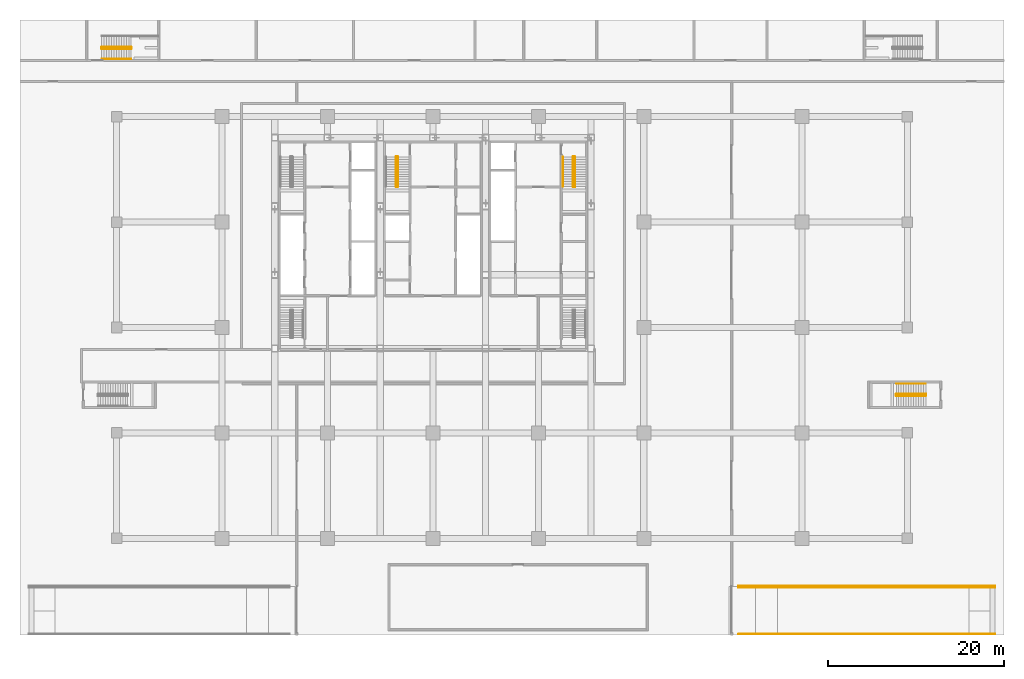
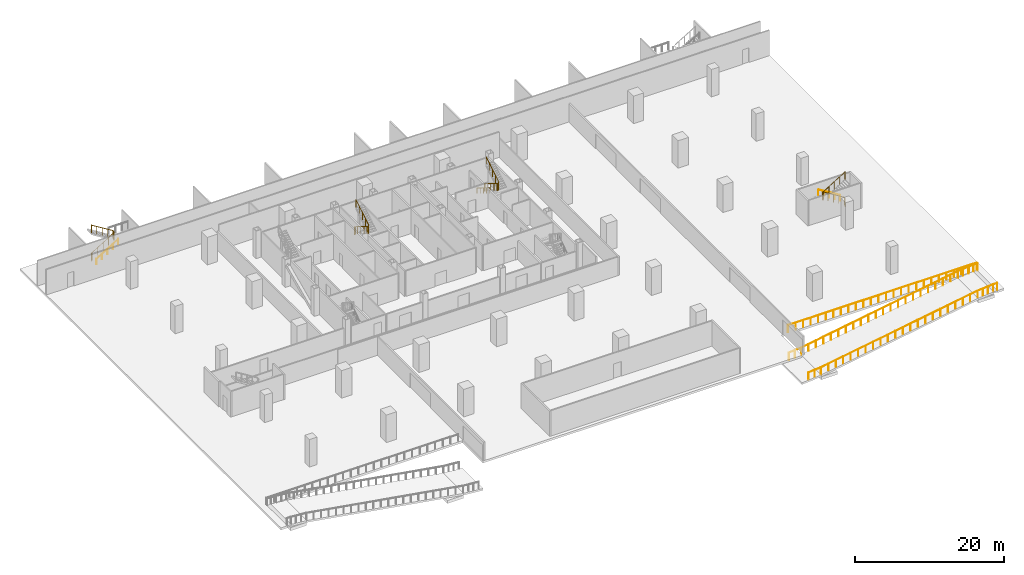
# One storey, part 14 of 15: 10 railings.
"""IFC4 building model written with IfcOpenShell, lengths in metres."""

from ifc_helpers import new_model, si_unit, direction, frame, origin, origin_2d, place, context, subcontext, project, spatial, circle, extrude, material, type_object, element, save


model = new_model("IFC4")

# Units and contexts
model_context = context("Model", 3, precision=1e-05, world=origin(), true_north=direction((0.0, 1.0)))
body_context = subcontext(model_context, "Body", "Model", "MODEL_VIEW")
ifc_project = project(units=[si_unit("LENGTHUNIT", "METRE"), si_unit("AREAUNIT", "SQUARE_METRE"), si_unit("VOLUMEUNIT", "CUBIC_METRE"), si_unit("PLANEANGLEUNIT", "RADIAN"), si_unit("MASSUNIT", "GRAM", prefix="KILO")], contexts=[model_context])

# Site, building, storey
site_placement = place(None, origin())
site = spatial("IfcSite", under=ifc_project, at=site_placement, CompositionType="ELEMENT")
building_placement = place(site_placement, origin())
building = spatial("IfcBuilding", under=site, at=building_placement, Name="Sorahane Residences", CompositionType="ELEMENT")
storey_placement = place(building_placement, frame((0.0, 0.0, -9.0)))
storey = spatial("IfcBuildingStorey", under=building, at=storey_placement, Name="B2", CompositionType="ELEMENT", Elevation=-9.0)

# Railings
ifc_material_1 = material(Name="Steel Q355B", Category="steel")
railing_type_1 = type_object("IfcRailingType", Name="Ramp opening guard 1200 Steel Q355B", PredefinedType="GUARDRAIL", material=ifc_material_1)
railing_1_placement = place(storey_placement, frame((88.0, -10.89990234375, 0.0)))
element("IfcRailing", 1, at=railing_1_placement, inside=storey, type_object=railing_type_1, Name="B2 ramp flight guard south", PredefinedType="GUARDRAIL", context=body_context, shape_type="SweptSolid", body=[
    extrude(circle(Radius=0.02392578125, at=origin_2d()), frame((0.0, 0.0, 1.17578125), z_axis=(-1.0, 0.0, 0.0), x_axis=(0.0, -1.0, 0.0)), (0.0, 0.0, 1.0), 0.60009765625),
    extrude(circle(Radius=0.02392578125, at=origin_2d()), frame((-0.60009765625, 0.0, 1.17578125), z_axis=(-0.996547156423, 0.0, -0.083028700011), x_axis=(0.0, -1.0, 0.0)), (0.0, 0.0, 1.0), 2.408203125),
    extrude(circle(Radius=0.02392578125, at=origin_2d()), frame((-3.0, 0.0, 0.97607421875), z_axis=(-0.986393655987, 0.0, -0.164400594367), x_axis=(0.0, -1.0, 0.0)), (0.0, 0.0, 1.0), 24.63525390625),
    extrude(circle(Radius=0.02392578125, at=origin_2d()), frame((-27.300048828125, 0.0, -3.07421875), z_axis=(-0.996551055188, 0.0, -0.082981892028), x_axis=(0.0, -1.0, 0.0)), (0.0, 0.0, 1.0), 1.906494140625),
    extrude(circle(Radius=0.02099609375, at=origin_2d()), origin(), (0.0, 0.0, 1.0), 1.15185546875),
    extrude(circle(Radius=0.02099609375, at=origin_2d()), frame((-0.60009765625, 0.0, 0.0)), (0.0, 0.0, 1.0), 1.15185546875),
    extrude(circle(Radius=0.02099609375, at=origin_2d()), frame((-1.400146484375, 0.0, -0.066650390625)), (0.0, 0.0, 1.0), 1.15185546875),
    extrude(circle(Radius=0.02099609375, at=origin_2d()), frame((-2.199951171875, 0.0, -0.13330078125)), (0.0, 0.0, 1.0), 1.15185546875),
    extrude(circle(Radius=0.02099609375, at=origin_2d()), frame((-3.0, 0.0, -0.199951171875)), (0.0, 0.0, 1.0), 1.15185546875),
    extrude(circle(Radius=0.02099609375, at=origin_2d()), frame((-4.1572265625, 0.0, -0.392822265625)), (0.0, 0.0, 1.0), 1.15185546875),
    extrude(circle(Radius=0.02099609375, at=origin_2d()), frame((-5.314208984375, 0.0, -0.585693359375)), (0.0, 0.0, 1.0), 1.15185546875),
    extrude(circle(Radius=0.02099609375, at=origin_2d()), frame((-6.471435546875, 0.0, -0.778564453125)), (0.0, 0.0, 1.0), 1.15185546875),
    extrude(circle(Radius=0.02099609375, at=origin_2d()), frame((-7.628662109375, 0.0, -0.971435546875)), (0.0, 0.0, 1.0), 1.15185546875),
    extrude(circle(Radius=0.02099609375, at=origin_2d()), frame((-8.78564453125, 0.0, -1.164306640625)), (0.0, 0.0, 1.0), 1.15185546875),
    extrude(circle(Radius=0.02099609375, at=origin_2d()), frame((-9.94287109375, 0.0, -1.357177734375)), (0.0, 0.0, 1.0), 1.15185546875),
    extrude(circle(Radius=0.02099609375, at=origin_2d()), frame((-11.10009765625, 0.0, -1.550048828125)), (0.0, 0.0, 1.0), 1.15185546875),
    extrude(circle(Radius=0.02099609375, at=origin_2d()), frame((-12.257080078125, 0.0, -1.742919921875)), (0.0, 0.0, 1.0), 1.15185546875),
    extrude(circle(Radius=0.02099609375, at=origin_2d()), frame((-13.414306640625, 0.0, -1.935791015625)), (0.0, 0.0, 1.0), 1.15185546875),
    extrude(circle(Radius=0.02099609375, at=origin_2d()), frame((-14.571533203125, 0.0, -2.128662109375)), (0.0, 0.0, 1.0), 1.15185546875),
    extrude(circle(Radius=0.02099609375, at=origin_2d()), frame((-15.728515625, 0.0, -2.3212890625)), (0.0, 0.0, 1.0), 1.15185546875),
    extrude(circle(Radius=0.02099609375, at=origin_2d()), frame((-16.8857421875, 0.0, -2.51416015625)), (0.0, 0.0, 1.0), 1.15185546875),
    extrude(circle(Radius=0.02099609375, at=origin_2d()), frame((-18.04296875, 0.0, -2.70703125)), (0.0, 0.0, 1.0), 1.15185546875),
    extrude(circle(Radius=0.02099609375, at=origin_2d()), frame((-19.199951171875, 0.0, -2.89990234375)), (0.0, 0.0, 1.0), 1.15185546875),
    extrude(circle(Radius=0.02099609375, at=origin_2d()), frame((-20.357177734375, 0.0, -3.0927734375)), (0.0, 0.0, 1.0), 1.15185546875),
    extrude(circle(Radius=0.02099609375, at=origin_2d()), frame((-21.514404296875, 0.0, -3.28564453125)), (0.0, 0.0, 1.0), 1.15185546875),
    extrude(circle(Radius=0.02099609375, at=origin_2d()), frame((-22.67138671875, 0.0, -3.478515625)), (0.0, 0.0, 1.0), 1.15185546875),
    extrude(circle(Radius=0.02099609375, at=origin_2d()), frame((-23.82861328125, 0.0, -3.67138671875)), (0.0, 0.0, 1.0), 1.15185546875),
    extrude(circle(Radius=0.02099609375, at=origin_2d()), frame((-24.98583984375, 0.0, -3.8642578125)), (0.0, 0.0, 1.0), 1.15185546875),
    extrude(circle(Radius=0.02099609375, at=origin_2d()), frame((-26.142822265625, 0.0, -4.05712890625)), (0.0, 0.0, 1.0), 1.15185546875),
    extrude(circle(Radius=0.02099609375, at=origin_2d()), frame((-27.300048828125, 0.0, -4.25)), (0.0, 0.0, 1.0), 1.15185546875),
    extrude(circle(Radius=0.02099609375, at=origin_2d()), frame((-28.25, 0.0, -4.3291015625)), (0.0, 0.0, 1.0), 1.15185546875),
    extrude(circle(Radius=0.02099609375, at=origin_2d()), frame((-29.199951171875, 0.0, -4.408203125)), (0.0, 0.0, 1.0), 1.15185546875),
])
railing_2_placement = place(storey_placement, frame((88.0, -5.60009765625, 0.0)))
element("IfcRailing", 2, at=railing_2_placement, inside=storey, type_object=railing_type_1, Name="B2 ramp flight guard north", PredefinedType="GUARDRAIL", context=body_context, shape_type="SweptSolid", body=[
    extrude(circle(Radius=0.02392578125, at=origin_2d()), frame((0.0, 0.0, 1.17578125), z_axis=(-1.0, 0.0, 0.0), x_axis=(0.0, -1.0, 0.0)), (0.0, 0.0, 1.0), 0.60009765625),
    extrude(circle(Radius=0.02392578125, at=origin_2d()), frame((-0.60009765625, 0.0, 1.17578125), z_axis=(-0.996547156423, 0.0, -0.083028700011), x_axis=(0.0, -1.0, 0.0)), (0.0, 0.0, 1.0), 2.408203125),
    extrude(circle(Radius=0.02392578125, at=origin_2d()), frame((-3.0, 0.0, 0.97607421875), z_axis=(-0.986393655987, 0.0, -0.164400594367), x_axis=(0.0, -1.0, 0.0)), (0.0, 0.0, 1.0), 24.63525390625),
    extrude(circle(Radius=0.02392578125, at=origin_2d()), frame((-27.300048828125, 0.0, -3.07421875), z_axis=(-0.996551055188, 0.0, -0.082981892028), x_axis=(0.0, -1.0, 0.0)), (0.0, 0.0, 1.0), 1.906494140625),
    extrude(circle(Radius=0.02099609375, at=origin_2d()), origin(), (0.0, 0.0, 1.0), 1.15185546875),
    extrude(circle(Radius=0.02099609375, at=origin_2d()), frame((-0.60009765625, 0.0, 0.0)), (0.0, 0.0, 1.0), 1.15185546875),
    extrude(circle(Radius=0.02099609375, at=origin_2d()), frame((-1.400146484375, 0.0, -0.066650390625)), (0.0, 0.0, 1.0), 1.15185546875),
    extrude(circle(Radius=0.02099609375, at=origin_2d()), frame((-2.199951171875, 0.0, -0.13330078125)), (0.0, 0.0, 1.0), 1.15185546875),
    extrude(circle(Radius=0.02099609375, at=origin_2d()), frame((-3.0, 0.0, -0.199951171875)), (0.0, 0.0, 1.0), 1.15185546875),
    extrude(circle(Radius=0.02099609375, at=origin_2d()), frame((-4.1572265625, 0.0, -0.392822265625)), (0.0, 0.0, 1.0), 1.15185546875),
    extrude(circle(Radius=0.02099609375, at=origin_2d()), frame((-5.314208984375, 0.0, -0.585693359375)), (0.0, 0.0, 1.0), 1.15185546875),
    extrude(circle(Radius=0.02099609375, at=origin_2d()), frame((-6.471435546875, 0.0, -0.778564453125)), (0.0, 0.0, 1.0), 1.15185546875),
    extrude(circle(Radius=0.02099609375, at=origin_2d()), frame((-7.628662109375, 0.0, -0.971435546875)), (0.0, 0.0, 1.0), 1.15185546875),
    extrude(circle(Radius=0.02099609375, at=origin_2d()), frame((-8.78564453125, 0.0, -1.164306640625)), (0.0, 0.0, 1.0), 1.15185546875),
    extrude(circle(Radius=0.02099609375, at=origin_2d()), frame((-9.94287109375, 0.0, -1.357177734375)), (0.0, 0.0, 1.0), 1.15185546875),
    extrude(circle(Radius=0.02099609375, at=origin_2d()), frame((-11.10009765625, 0.0, -1.550048828125)), (0.0, 0.0, 1.0), 1.15185546875),
    extrude(circle(Radius=0.02099609375, at=origin_2d()), frame((-12.257080078125, 0.0, -1.742919921875)), (0.0, 0.0, 1.0), 1.15185546875),
    extrude(circle(Radius=0.02099609375, at=origin_2d()), frame((-13.414306640625, 0.0, -1.935791015625)), (0.0, 0.0, 1.0), 1.15185546875),
    extrude(circle(Radius=0.02099609375, at=origin_2d()), frame((-14.571533203125, 0.0, -2.128662109375)), (0.0, 0.0, 1.0), 1.15185546875),
    extrude(circle(Radius=0.02099609375, at=origin_2d()), frame((-15.728515625, 0.0, -2.3212890625)), (0.0, 0.0, 1.0), 1.15185546875),
    extrude(circle(Radius=0.02099609375, at=origin_2d()), frame((-16.8857421875, 0.0, -2.51416015625)), (0.0, 0.0, 1.0), 1.15185546875),
    extrude(circle(Radius=0.02099609375, at=origin_2d()), frame((-18.04296875, 0.0, -2.70703125)), (0.0, 0.0, 1.0), 1.15185546875),
    extrude(circle(Radius=0.02099609375, at=origin_2d()), frame((-19.199951171875, 0.0, -2.89990234375)), (0.0, 0.0, 1.0), 1.15185546875),
    extrude(circle(Radius=0.02099609375, at=origin_2d()), frame((-20.357177734375, 0.0, -3.0927734375)), (0.0, 0.0, 1.0), 1.15185546875),
    extrude(circle(Radius=0.02099609375, at=origin_2d()), frame((-21.514404296875, 0.0, -3.28564453125)), (0.0, 0.0, 1.0), 1.15185546875),
    extrude(circle(Radius=0.02099609375, at=origin_2d()), frame((-22.67138671875, 0.0, -3.478515625)), (0.0, 0.0, 1.0), 1.15185546875),
    extrude(circle(Radius=0.02099609375, at=origin_2d()), frame((-23.82861328125, 0.0, -3.67138671875)), (0.0, 0.0, 1.0), 1.15185546875),
    extrude(circle(Radius=0.02099609375, at=origin_2d()), frame((-24.98583984375, 0.0, -3.8642578125)), (0.0, 0.0, 1.0), 1.15185546875),
    extrude(circle(Radius=0.02099609375, at=origin_2d()), frame((-26.142822265625, 0.0, -4.05712890625)), (0.0, 0.0, 1.0), 1.15185546875),
    extrude(circle(Radius=0.02099609375, at=origin_2d()), frame((-27.300048828125, 0.0, -4.25)), (0.0, 0.0, 1.0), 1.15185546875),
    extrude(circle(Radius=0.02099609375, at=origin_2d()), frame((-28.25, 0.0, -4.3291015625)), (0.0, 0.0, 1.0), 1.15185546875),
    extrude(circle(Radius=0.02099609375, at=origin_2d()), frame((-29.199951171875, 0.0, -4.408203125)), (0.0, 0.0, 1.0), 1.15185546875),
])
railing_3_placement = place(storey_placement, frame((58.800048828125, -5.39990234375, 0.0)))
element("IfcRailing", 3, at=railing_3_placement, inside=storey, type_object=railing_type_1, Name="B2 ramp opening guard", PredefinedType="GUARDRAIL", context=body_context, shape_type="SweptSolid", body=[
    extrude(circle(Radius=0.02392578125, at=origin_2d()), frame((0.0, 0.0, 1.17578125), z_axis=(1.0, 0.0, 0.0), x_axis=(0.0, 1.0, 0.0)), (0.0, 0.0, 1.0), 29.199951171875),
    extrude(circle(Radius=0.02099609375, at=origin_2d()), origin(), (0.0, 0.0, 1.0), 1.15185546875),
    extrude(circle(Radius=0.02099609375, at=origin_2d()), frame((1.16796875, 0.0, 0.0)), (0.0, 0.0, 1.0), 1.15185546875),
    extrude(circle(Radius=0.02099609375, at=origin_2d()), frame((2.3359375, 0.0, 0.0)), (0.0, 0.0, 1.0), 1.15185546875),
    extrude(circle(Radius=0.02099609375, at=origin_2d()), frame((3.50390625, 0.0, 0.0)), (0.0, 0.0, 1.0), 1.15185546875),
    extrude(circle(Radius=0.02099609375, at=origin_2d()), frame((4.671875, 0.0, 0.0)), (0.0, 0.0, 1.0), 1.15185546875),
    extrude(circle(Radius=0.02099609375, at=origin_2d()), frame((5.840087890625, 0.0, 0.0)), (0.0, 0.0, 1.0), 1.15185546875),
    extrude(circle(Radius=0.02099609375, at=origin_2d()), frame((7.008056640625, 0.0, 0.0)), (0.0, 0.0, 1.0), 1.15185546875),
    extrude(circle(Radius=0.02099609375, at=origin_2d()), frame((8.176025390625, 0.0, 0.0)), (0.0, 0.0, 1.0), 1.15185546875),
    extrude(circle(Radius=0.02099609375, at=origin_2d()), frame((9.343994140625, 0.0, 0.0)), (0.0, 0.0, 1.0), 1.15185546875),
    extrude(circle(Radius=0.02099609375, at=origin_2d()), frame((10.511962890625, 0.0, 0.0)), (0.0, 0.0, 1.0), 1.15185546875),
    extrude(circle(Radius=0.02099609375, at=origin_2d()), frame((11.679931640625, 0.0, 0.0)), (0.0, 0.0, 1.0), 1.15185546875),
    extrude(circle(Radius=0.02099609375, at=origin_2d()), frame((12.847900390625, 0.0, 0.0)), (0.0, 0.0, 1.0), 1.15185546875),
    extrude(circle(Radius=0.02099609375, at=origin_2d()), frame((14.015869140625, 0.0, 0.0)), (0.0, 0.0, 1.0), 1.15185546875),
    extrude(circle(Radius=0.02099609375, at=origin_2d()), frame((15.18408203125, 0.0, 0.0)), (0.0, 0.0, 1.0), 1.15185546875),
    extrude(circle(Radius=0.02099609375, at=origin_2d()), frame((16.35205078125, 0.0, 0.0)), (0.0, 0.0, 1.0), 1.15185546875),
    extrude(circle(Radius=0.02099609375, at=origin_2d()), frame((17.52001953125, 0.0, 0.0)), (0.0, 0.0, 1.0), 1.15185546875),
    extrude(circle(Radius=0.02099609375, at=origin_2d()), frame((18.68798828125, 0.0, 0.0)), (0.0, 0.0, 1.0), 1.15185546875),
    extrude(circle(Radius=0.02099609375, at=origin_2d()), frame((19.85595703125, 0.0, 0.0)), (0.0, 0.0, 1.0), 1.15185546875),
    extrude(circle(Radius=0.02099609375, at=origin_2d()), frame((21.02392578125, 0.0, 0.0)), (0.0, 0.0, 1.0), 1.15185546875),
    extrude(circle(Radius=0.02099609375, at=origin_2d()), frame((22.19189453125, 0.0, 0.0)), (0.0, 0.0, 1.0), 1.15185546875),
    extrude(circle(Radius=0.02099609375, at=origin_2d()), frame((23.35986328125, 0.0, 0.0)), (0.0, 0.0, 1.0), 1.15185546875),
    extrude(circle(Radius=0.02099609375, at=origin_2d()), frame((24.528076171875, 0.0, 0.0)), (0.0, 0.0, 1.0), 1.15185546875),
    extrude(circle(Radius=0.02099609375, at=origin_2d()), frame((25.696044921875, 0.0, 0.0)), (0.0, 0.0, 1.0), 1.15185546875),
    extrude(circle(Radius=0.02099609375, at=origin_2d()), frame((26.864013671875, 0.0, 0.0)), (0.0, 0.0, 1.0), 1.15185546875),
    extrude(circle(Radius=0.02099609375, at=origin_2d()), frame((28.031982421875, 0.0, 0.0)), (0.0, 0.0, 1.0), 1.15185546875),
    extrude(circle(Radius=0.02099609375, at=origin_2d()), frame((29.199951171875, 0.0, 0.0)), (0.0, 0.0, 1.0), 1.15185546875),
])
ifc_material_2 = material(Name="Steel Q355B", Category="steel")
railing_type_2 = type_object("IfcRailingType", Name="Stair guard 1200 Steel Q355B", PredefinedType="GUARDRAIL", material=ifc_material_2)
railing_4_placement = place(storey_placement, frame((40.14990234375, 43.449951171875, 0.0)))
element("IfcRailing", 4, at=railing_4_placement, inside=storey, type_object=railing_type_2, Name="B2 S2 stair guard 1", PredefinedType="GUARDRAIL", context=body_context, shape_type="SweptSolid", body=[
    extrude(circle(Radius=0.02392578125, at=origin_2d()), frame((0.0, 0.0, 1.17578125), z_axis=(-1.0, 0.0, 0.0), x_axis=(0.0, -1.0, 0.0)), (0.0, 0.0, 1.0), 0.14990234375),
    extrude(circle(Radius=0.02392578125, at=origin_2d()), frame((-0.14990234375, 0.0, 1.17578125), z_axis=(-0.267629722418, -0.267629722418, 0.925607186314), x_axis=(0.707106781187, -0.707106781187, 0.0)), (0.0, 0.0, 1.0), 0.18701171875),
    extrude(circle(Radius=0.02392578125, at=origin_2d()), frame((-0.199951171875, -0.050048828125, 1.34912109375), z_axis=(0.0, -0.850606129759, 0.525803396734), x_axis=(1.0, 0.0, 0.0)), (0.0, 0.0, 1.0), 3.949951171875),
    extrude(circle(Radius=0.02392578125, at=origin_2d()), frame((-0.199951171875, -3.409912109375, 3.42578125), z_axis=(0.707106781187, -0.707106781187, 0.0), x_axis=(0.707106781187, 0.707106781187, 0.0)), (0.0, 0.0, 1.0), 0.07080078125),
    extrude(circle(Radius=0.02392578125, at=origin_2d()), frame((-0.14990234375, -3.4599609375, 3.42578125), z_axis=(1.0, 0.0, 0.0), x_axis=(0.0, 1.0, 0.0)), (0.0, 0.0, 1.0), 0.14990234375),
    extrude(circle(Radius=0.02392578125, at=origin_2d()), frame((0.0, -3.4599609375, 3.42578125), z_axis=(0.267629722418, 0.267629722418, 0.925607186314), x_axis=(-0.707106781187, 0.707106781187, 0.0)), (0.0, 0.0, 1.0), 0.18701171875),
    extrude(circle(Radius=0.02392578125, at=origin_2d()), frame((0.050048828125, -3.409912109375, 3.59912109375), z_axis=(0.0, 0.850606129759, 0.525803396734), x_axis=(-1.0, 0.0, 0.0)), (0.0, 0.0, 1.0), 3.949951171875),
    extrude(circle(Radius=0.02099609375, at=origin_2d()), origin(), (0.0, 0.0, 1.0), 1.15185546875),
    extrude(circle(Radius=0.02099609375, at=origin_2d()), frame((-0.14990234375, 0.0, 0.0)), (0.0, 0.0, 1.0), 1.15185546875),
    extrude(circle(Radius=0.02099609375, at=origin_2d()), frame((-0.199951171875, -0.050048828125, 0.173095703125)), (0.0, 0.0, 1.0), 1.15185546875),
    extrude(circle(Radius=0.02099609375, at=origin_2d()), frame((-0.199951171875, -0.89013671875, 0.6923828125)), (0.0, 0.0, 1.0), 1.15185546875),
    extrude(circle(Radius=0.02099609375, at=origin_2d()), frame((-0.199951171875, -1.72998046875, 1.21142578125)), (0.0, 0.0, 1.0), 1.15185546875),
    extrude(circle(Radius=0.02099609375, at=origin_2d()), frame((-0.199951171875, -2.56982421875, 1.730712890625)), (0.0, 0.0, 1.0), 1.15185546875),
    extrude(circle(Radius=0.02099609375, at=origin_2d()), frame((-0.199951171875, -3.409912109375, 2.25)), (0.0, 0.0, 1.0), 1.15185546875),
    extrude(circle(Radius=0.02099609375, at=origin_2d()), frame((-0.14990234375, -3.4599609375, 2.25)), (0.0, 0.0, 1.0), 1.15185546875),
    extrude(circle(Radius=0.02099609375, at=origin_2d()), frame((0.0, -3.4599609375, 2.25)), (0.0, 0.0, 1.0), 1.15185546875),
    extrude(circle(Radius=0.02099609375, at=origin_2d()), frame((0.050048828125, -3.409912109375, 2.423095703125)), (0.0, 0.0, 1.0), 1.15185546875),
    extrude(circle(Radius=0.02099609375, at=origin_2d()), frame((0.050048828125, -2.56982421875, 2.9423828125)), (0.0, 0.0, 1.0), 1.15185546875),
    extrude(circle(Radius=0.02099609375, at=origin_2d()), frame((0.050048828125, -1.72998046875, 3.46142578125)), (0.0, 0.0, 1.0), 1.15185546875),
    extrude(circle(Radius=0.02099609375, at=origin_2d()), frame((0.050048828125, -0.89013671875, 3.980712890625)), (0.0, 0.0, 1.0), 1.15185546875),
    extrude(circle(Radius=0.02099609375, at=origin_2d()), frame((0.050048828125, -0.050048828125, 4.5)), (0.0, 0.0, 1.0), 1.15185546875),
])
railing_5_placement = place(storey_placement, frame((20.0, 43.449951171875, 0.0)))
element("IfcRailing", 5, at=railing_5_placement, inside=storey, type_object=railing_type_2, Name="B2 S3 stair guard 1", PredefinedType="GUARDRAIL", context=body_context, shape_type="SweptSolid", body=[
    extrude(circle(Radius=0.02392578125, at=origin_2d()), frame((0.0, 0.0, 1.17578125), z_axis=(-1.0, 0.0, 0.0), x_axis=(0.0, -1.0, 0.0)), (0.0, 0.0, 1.0), 0.14990234375),
    extrude(circle(Radius=0.02392578125, at=origin_2d()), frame((-0.14990234375, 0.0, 1.17578125), z_axis=(-0.267629722418, -0.267629722418, 0.925607186314), x_axis=(0.707106781187, -0.707106781187, 0.0)), (0.0, 0.0, 1.0), 0.18701171875),
    extrude(circle(Radius=0.02392578125, at=origin_2d()), frame((-0.199951171875, -0.050048828125, 1.34912109375), z_axis=(0.0, -0.850606129759, 0.525803396734), x_axis=(1.0, 0.0, 0.0)), (0.0, 0.0, 1.0), 3.949951171875),
    extrude(circle(Radius=0.02392578125, at=origin_2d()), frame((-0.199951171875, -3.409912109375, 3.42578125), z_axis=(0.707106781187, -0.707106781187, 0.0), x_axis=(0.707106781187, 0.707106781187, 0.0)), (0.0, 0.0, 1.0), 0.07080078125),
    extrude(circle(Radius=0.02392578125, at=origin_2d()), frame((-0.14990234375, -3.4599609375, 3.42578125), z_axis=(1.0, 0.0, 0.0), x_axis=(0.0, 1.0, 0.0)), (0.0, 0.0, 1.0), 0.14990234375),
    extrude(circle(Radius=0.02392578125, at=origin_2d()), frame((0.0, -3.4599609375, 3.42578125), z_axis=(0.267629722418, 0.267629722418, 0.925607186314), x_axis=(-0.707106781187, 0.707106781187, 0.0)), (0.0, 0.0, 1.0), 0.18701171875),
    extrude(circle(Radius=0.02392578125, at=origin_2d()), frame((0.050048828125, -3.409912109375, 3.59912109375), z_axis=(0.0, 0.850606129759, 0.525803396734), x_axis=(-1.0, 0.0, 0.0)), (0.0, 0.0, 1.0), 3.949951171875),
    extrude(circle(Radius=0.02099609375, at=origin_2d()), origin(), (0.0, 0.0, 1.0), 1.15185546875),
    extrude(circle(Radius=0.02099609375, at=origin_2d()), frame((-0.14990234375, 0.0, 0.0)), (0.0, 0.0, 1.0), 1.15185546875),
    extrude(circle(Radius=0.02099609375, at=origin_2d()), frame((-0.199951171875, -0.050048828125, 0.173095703125)), (0.0, 0.0, 1.0), 1.15185546875),
    extrude(circle(Radius=0.02099609375, at=origin_2d()), frame((-0.199951171875, -0.89013671875, 0.6923828125)), (0.0, 0.0, 1.0), 1.15185546875),
    extrude(circle(Radius=0.02099609375, at=origin_2d()), frame((-0.199951171875, -1.72998046875, 1.21142578125)), (0.0, 0.0, 1.0), 1.15185546875),
    extrude(circle(Radius=0.02099609375, at=origin_2d()), frame((-0.199951171875, -2.56982421875, 1.730712890625)), (0.0, 0.0, 1.0), 1.15185546875),
    extrude(circle(Radius=0.02099609375, at=origin_2d()), frame((-0.199951171875, -3.409912109375, 2.25)), (0.0, 0.0, 1.0), 1.15185546875),
    extrude(circle(Radius=0.02099609375, at=origin_2d()), frame((-0.14990234375, -3.4599609375, 2.25)), (0.0, 0.0, 1.0), 1.15185546875),
    extrude(circle(Radius=0.02099609375, at=origin_2d()), frame((0.0, -3.4599609375, 2.25)), (0.0, 0.0, 1.0), 1.15185546875),
    extrude(circle(Radius=0.02099609375, at=origin_2d()), frame((0.050048828125, -3.409912109375, 2.423095703125)), (0.0, 0.0, 1.0), 1.15185546875),
    extrude(circle(Radius=0.02099609375, at=origin_2d()), frame((0.050048828125, -2.56982421875, 2.9423828125)), (0.0, 0.0, 1.0), 1.15185546875),
    extrude(circle(Radius=0.02099609375, at=origin_2d()), frame((0.050048828125, -1.72998046875, 3.46142578125)), (0.0, 0.0, 1.0), 1.15185546875),
    extrude(circle(Radius=0.02099609375, at=origin_2d()), frame((0.050048828125, -0.89013671875, 3.980712890625)), (0.0, 0.0, 1.0), 1.15185546875),
    extrude(circle(Radius=0.02099609375, at=origin_2d()), frame((0.050048828125, -0.050048828125, 4.5)), (0.0, 0.0, 1.0), 1.15185546875),
])
railing_6_placement = place(storey_placement, frame((-13.75, 55.89990234375, 0.0)))
element("IfcRailing", 6, at=railing_6_placement, inside=storey, type_object=railing_type_2, Name="B2 BS1 stair guard 1", PredefinedType="GUARDRAIL", context=body_context, shape_type="SweptSolid", body=[
    extrude(circle(Radius=0.02392578125, at=origin_2d()), frame((0.0, 0.0, 1.23583984375), z_axis=(0.0, -1.0, 0.0), x_axis=(1.0, 0.0, 0.0)), (0.0, 0.0, 1.0), 0.14990234375),
    extrude(circle(Radius=0.02392578125, at=origin_2d()), frame((0.0, -0.14990234375, 1.23583984375), z_axis=(0.267629722418, -0.267629722418, 0.925607186314), x_axis=(0.707106781187, 0.707106781187, 0.0)), (0.0, 0.0, 1.0), 0.18701171875),
    extrude(circle(Radius=0.02392578125, at=origin_2d()), frame((0.050048828125, -0.199951171875, 1.4091796875), z_axis=(0.850606129759, 0.0, 0.525803396734), x_axis=(0.0, 1.0, 0.0)), (0.0, 0.0, 1.0), 3.949951171875),
    extrude(circle(Radius=0.02392578125, at=origin_2d()), frame((3.409912109375, -0.199951171875, 3.48583984375), z_axis=(0.707106781187, 0.707106781187, 0.0), x_axis=(-0.707106781187, 0.707106781187, 0.0)), (0.0, 0.0, 1.0), 0.07080078125),
    extrude(circle(Radius=0.02392578125, at=origin_2d()), frame((3.4599609375, -0.14990234375, 3.48583984375), z_axis=(0.0, 1.0, 0.0), x_axis=(-1.0, 0.0, 0.0)), (0.0, 0.0, 1.0), 0.14990234375),
    extrude(circle(Radius=0.02392578125, at=origin_2d()), frame((3.4599609375, 0.0, 3.48583984375), z_axis=(-0.267629722418, 0.267629722418, 0.925607186314), x_axis=(-0.707106781187, -0.707106781187, 0.0)), (0.0, 0.0, 1.0), 0.18701171875),
    extrude(circle(Radius=0.02392578125, at=origin_2d()), frame((3.409912109375, 0.050048828125, 3.6591796875), z_axis=(-0.850606129759, 0.0, 0.525803396734), x_axis=(0.0, -1.0, 0.0)), (0.0, 0.0, 1.0), 3.949951171875),
    extrude(circle(Radius=0.02099609375, at=origin_2d()), origin(), (0.0, 0.0, 1.0), 1.2119140625),
    extrude(circle(Radius=0.02099609375, at=origin_2d()), frame((0.0, -0.14990234375, 0.0)), (0.0, 0.0, 1.0), 1.2119140625),
    extrude(circle(Radius=0.02099609375, at=origin_2d()), frame((0.050048828125, -0.199951171875, 0.173095703125)), (0.0, 0.0, 1.0), 1.2119140625),
    extrude(circle(Radius=0.02099609375, at=origin_2d()), frame((0.89013671875, -0.199951171875, 0.6923828125)), (0.0, 0.0, 1.0), 1.2119140625),
    extrude(circle(Radius=0.02099609375, at=origin_2d()), frame((1.72998046875, -0.199951171875, 1.21142578125)), (0.0, 0.0, 1.0), 1.2119140625),
    extrude(circle(Radius=0.02099609375, at=origin_2d()), frame((2.56982421875, -0.199951171875, 1.730712890625)), (0.0, 0.0, 1.0), 1.2119140625),
    extrude(circle(Radius=0.02099609375, at=origin_2d()), frame((3.409912109375, -0.199951171875, 2.25)), (0.0, 0.0, 1.0), 1.2119140625),
    extrude(circle(Radius=0.02099609375, at=origin_2d()), frame((3.4599609375, -0.14990234375, 2.25)), (0.0, 0.0, 1.0), 1.2119140625),
    extrude(circle(Radius=0.02099609375, at=origin_2d()), frame((3.4599609375, 0.0, 2.25)), (0.0, 0.0, 1.0), 1.2119140625),
    extrude(circle(Radius=0.02099609375, at=origin_2d()), frame((3.409912109375, 0.050048828125, 2.423095703125)), (0.0, 0.0, 1.0), 1.2119140625),
    extrude(circle(Radius=0.02099609375, at=origin_2d()), frame((2.56982421875, 0.050048828125, 2.9423828125)), (0.0, 0.0, 1.0), 1.2119140625),
    extrude(circle(Radius=0.02099609375, at=origin_2d()), frame((1.72998046875, 0.050048828125, 3.46142578125)), (0.0, 0.0, 1.0), 1.2119140625),
    extrude(circle(Radius=0.02099609375, at=origin_2d()), frame((0.89013671875, 0.050048828125, 3.980712890625)), (0.0, 0.0, 1.0), 1.2119140625),
    extrude(circle(Radius=0.02099609375, at=origin_2d()), frame((0.050048828125, 0.050048828125, 4.5)), (0.0, 0.0, 1.0), 1.2119140625),
])
railing_7_placement = place(storey_placement, frame((80.14990234375, 16.25, 0.0)))
element("IfcRailing", 7, at=railing_7_placement, inside=storey, type_object=railing_type_2, Name="B2 BS4 stair guard 1", PredefinedType="GUARDRAIL", context=body_context, shape_type="SweptSolid", body=[
    extrude(circle(Radius=0.02392578125, at=origin_2d()), frame((0.0, 0.0, 1.23583984375), z_axis=(0.0, 1.0, 0.0), x_axis=(-1.0, 0.0, 0.0)), (0.0, 0.0, 1.0), 0.14990234375),
    extrude(circle(Radius=0.02392578125, at=origin_2d()), frame((0.0, 0.14990234375, 1.23583984375), z_axis=(-0.266417085129, 0.267723051232, 0.925929967433), x_axis=(-0.708833529934, -0.705375805398, 0.0)), (0.0, 0.0, 1.0), 0.18701171875),
    extrude(circle(Radius=0.02392578125, at=origin_2d()), frame((-0.0498046875, 0.199951171875, 1.4091796875), z_axis=(-0.850623216509, 0.0, 0.525775754039), x_axis=(0.0, -1.0, 0.0)), (0.0, 0.0, 1.0), 3.9501953125),
    extrude(circle(Radius=0.02392578125, at=origin_2d()), frame((-3.409912109375, 0.199951171875, 3.48583984375), z_axis=(-0.707106781187, -0.707106781187, 0.0), x_axis=(0.707106781187, -0.707106781187, 0.0)), (0.0, 0.0, 1.0), 0.07080078125),
    extrude(circle(Radius=0.02392578125, at=origin_2d()), frame((-3.4599609375, 0.14990234375, 3.48583984375), z_axis=(0.0, -1.0, 0.0), x_axis=(1.0, 0.0, 0.0)), (0.0, 0.0, 1.0), 0.14990234375),
    extrude(circle(Radius=0.02392578125, at=origin_2d()), frame((-3.4599609375, 0.0, 3.48583984375), z_axis=(0.267629722418, -0.267629722418, 0.925607186314), x_axis=(0.707106781187, 0.707106781187, 0.0)), (0.0, 0.0, 1.0), 0.18701171875),
    extrude(circle(Radius=0.02392578125, at=origin_2d()), frame((-3.409912109375, -0.050048828125, 3.6591796875), z_axis=(0.850623216509, 0.0, 0.525775754039), x_axis=(0.0, 1.0, 0.0)), (0.0, 0.0, 1.0), 3.9501953125),
    extrude(circle(Radius=0.02099609375, at=origin_2d()), origin(), (0.0, 0.0, 1.0), 1.2119140625),
    extrude(circle(Radius=0.02099609375, at=origin_2d()), frame((0.0, 0.14990234375, 0.0)), (0.0, 0.0, 1.0), 1.2119140625),
    extrude(circle(Radius=0.02099609375, at=origin_2d()), frame((-0.0498046875, 0.199951171875, 0.173095703125)), (0.0, 0.0, 1.0), 1.2119140625),
    extrude(circle(Radius=0.02099609375, at=origin_2d()), frame((-0.889892578125, 0.199951171875, 0.6923828125)), (0.0, 0.0, 1.0), 1.2119140625),
    extrude(circle(Radius=0.02099609375, at=origin_2d()), frame((-1.72998046875, 0.199951171875, 1.21142578125)), (0.0, 0.0, 1.0), 1.2119140625),
    extrude(circle(Radius=0.02099609375, at=origin_2d()), frame((-2.56982421875, 0.199951171875, 1.730712890625)), (0.0, 0.0, 1.0), 1.2119140625),
    extrude(circle(Radius=0.02099609375, at=origin_2d()), frame((-3.409912109375, 0.199951171875, 2.25)), (0.0, 0.0, 1.0), 1.2119140625),
    extrude(circle(Radius=0.02099609375, at=origin_2d()), frame((-3.4599609375, 0.14990234375, 2.25)), (0.0, 0.0, 1.0), 1.2119140625),
    extrude(circle(Radius=0.02099609375, at=origin_2d()), frame((-3.4599609375, 0.0, 2.25)), (0.0, 0.0, 1.0), 1.2119140625),
    extrude(circle(Radius=0.02099609375, at=origin_2d()), frame((-3.409912109375, -0.050048828125, 2.423095703125)), (0.0, 0.0, 1.0), 1.2119140625),
    extrude(circle(Radius=0.02099609375, at=origin_2d()), frame((-2.56982421875, -0.050048828125, 2.9423828125)), (0.0, 0.0, 1.0), 1.2119140625),
    extrude(circle(Radius=0.02099609375, at=origin_2d()), frame((-1.72998046875, -0.050048828125, 3.46142578125)), (0.0, 0.0, 1.0), 1.2119140625),
    extrude(circle(Radius=0.02099609375, at=origin_2d()), frame((-0.889892578125, -0.050048828125, 3.980712890625)), (0.0, 0.0, 1.0), 1.2119140625),
    extrude(circle(Radius=0.02099609375, at=origin_2d()), frame((-0.0498046875, -0.050048828125, 4.5)), (0.0, 0.0, 1.0), 1.2119140625),
])
ifc_material_3 = material(Name="Steel Q355B", Category="steel")
railing_type_3 = type_object("IfcRailingType", Name="Stair handrail 900 Steel Q355B", PredefinedType="HANDRAIL", material=ifc_material_3)
railing_8_placement = place(storey_placement, frame((38.800048828125, 43.39990234375, 0.173095703125)))
element("IfcRailing", 8, at=railing_8_placement, inside=storey, type_object=railing_type_3, Name="B2 S2 stair handrail 1", PredefinedType="HANDRAIL", context=body_context, shape_type="SweptSolid", body=[
    extrude(circle(Radius=0.02392578125, at=origin_2d()), frame((0.0, 0.0, 0.8759765625), z_axis=(0.0, -0.850606129759, 0.525803396734), x_axis=(1.0, 0.0, 0.0)), (0.0, 0.0, 1.0), 3.949951171875),
    extrude(circle(Radius=0.02099609375, at=origin_2d()), origin(), (0.0, 0.0, 1.0), 0.851806640625),
    extrude(circle(Radius=0.02099609375, at=origin_2d()), frame((0.0, -0.83984375, 0.519287109375)), (0.0, 0.0, 1.0), 0.851806640625),
    extrude(circle(Radius=0.02099609375, at=origin_2d()), frame((0.0, -1.679931640625, 1.03857421875)), (0.0, 0.0, 1.0), 0.851806640625),
    extrude(circle(Radius=0.02099609375, at=origin_2d()), frame((0.0, -2.52001953125, 1.5576171875)), (0.0, 0.0, 1.0), 0.851806640625),
    extrude(circle(Radius=0.02099609375, at=origin_2d()), frame((0.0, -3.35986328125, 2.076904296875)), (0.0, 0.0, 1.0), 0.851806640625),
])
railing_9_placement = place(storey_placement, frame((-13.699951171875, 54.550048828125, 0.173095703125)))
element("IfcRailing", 9, at=railing_9_placement, inside=storey, type_object=railing_type_3, Name="B2 BS1 stair handrail 1", PredefinedType="HANDRAIL", context=body_context, shape_type="SweptSolid", body=[
    extrude(circle(Radius=0.02392578125, at=origin_2d()), frame((0.0, 0.0, 0.8759765625), z_axis=(0.850606129759, 0.0, 0.525803396734), x_axis=(0.0, 1.0, 0.0)), (0.0, 0.0, 1.0), 3.949951171875),
    extrude(circle(Radius=0.02099609375, at=origin_2d()), origin(), (0.0, 0.0, 1.0), 0.851806640625),
    extrude(circle(Radius=0.02099609375, at=origin_2d()), frame((0.83984375, 0.0, 0.519287109375)), (0.0, 0.0, 1.0), 0.851806640625),
    extrude(circle(Radius=0.02099609375, at=origin_2d()), frame((1.679931640625, 0.0, 1.03857421875)), (0.0, 0.0, 1.0), 0.851806640625),
    extrude(circle(Radius=0.02099609375, at=origin_2d()), frame((2.52001953125, 0.0, 1.5576171875)), (0.0, 0.0, 1.0), 0.851806640625),
    extrude(circle(Radius=0.02099609375, at=origin_2d()), frame((3.35986328125, 0.0, 2.076904296875)), (0.0, 0.0, 1.0), 0.851806640625),
])
railing_10_placement = place(storey_placement, frame((80.10009765625, 17.60009765625, 0.173095703125)))
element("IfcRailing", 10, at=railing_10_placement, inside=storey, type_object=railing_type_3, Name="B2 BS4 stair handrail 1", PredefinedType="HANDRAIL", context=body_context, shape_type="SweptSolid", body=[
    extrude(circle(Radius=0.02392578125, at=origin_2d()), frame((0.0, 0.0, 0.8759765625), z_axis=(-0.850623216509, 0.0, 0.525775754039), x_axis=(0.0, -1.0, 0.0)), (0.0, 0.0, 1.0), 3.9501953125),
    extrude(circle(Radius=0.02099609375, at=origin_2d()), origin(), (0.0, 0.0, 1.0), 0.851806640625),
    extrude(circle(Radius=0.02099609375, at=origin_2d()), frame((-0.840087890625, 0.0, 0.519287109375)), (0.0, 0.0, 1.0), 0.851806640625),
    extrude(circle(Radius=0.02099609375, at=origin_2d()), frame((-1.68017578125, 0.0, 1.03857421875)), (0.0, 0.0, 1.0), 0.851806640625),
    extrude(circle(Radius=0.02099609375, at=origin_2d()), frame((-2.52001953125, 0.0, 1.5576171875)), (0.0, 0.0, 1.0), 0.851806640625),
    extrude(circle(Radius=0.02099609375, at=origin_2d()), frame((-3.360107421875, 0.0, 2.076904296875)), (0.0, 0.0, 1.0), 0.851806640625),
])

save(model, "model.ifc")
